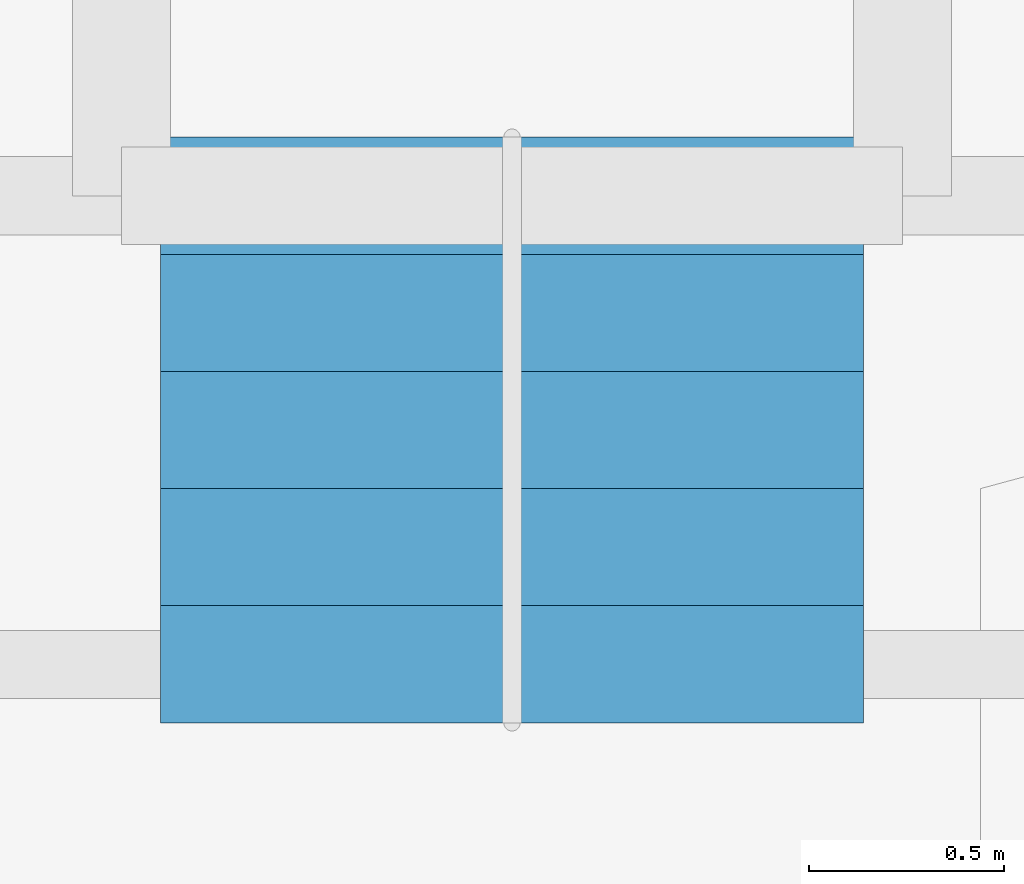
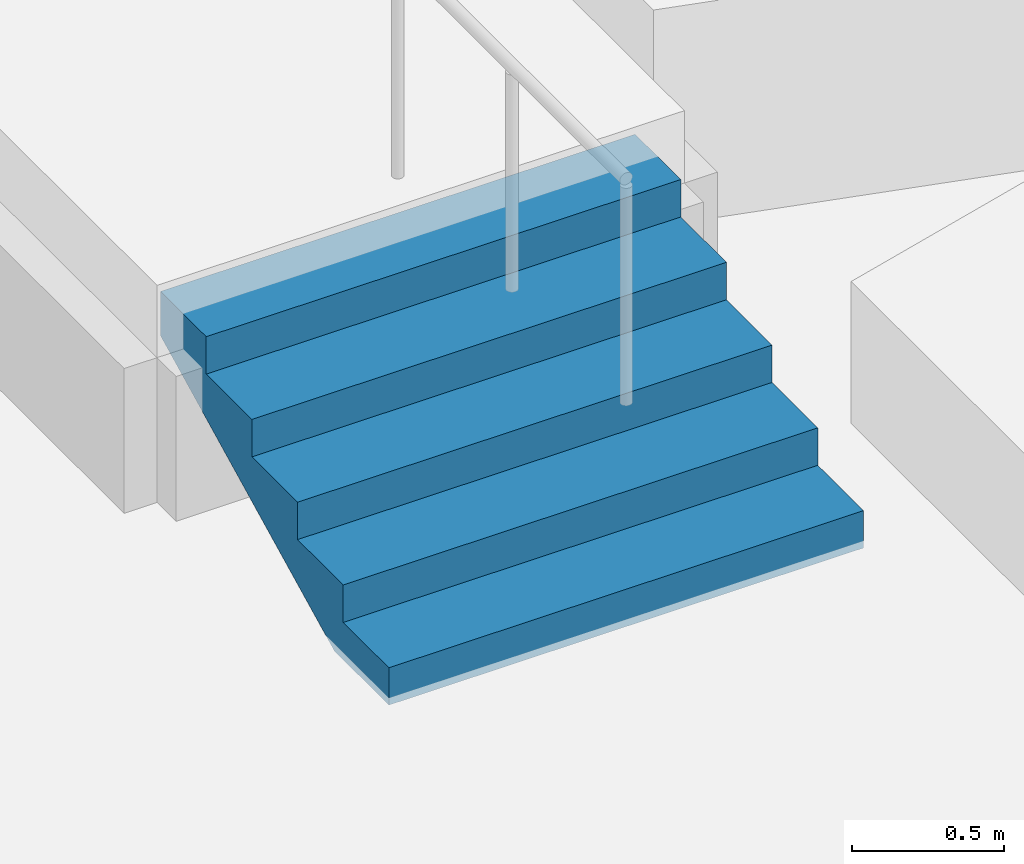
# One storey, part 98 of 112: 1 stair flight, 1 element without a shape of its own.
"""IFC4 building model written with IfcOpenShell, lengths in metres."""

from ifc_helpers import new_model, si_unit, direction, frame, origin, place, context, subcontext, project, spatial, triangles, material, layer, layer_set, type_object, element, aggregate, save


model = new_model("IFC4")

# Units and contexts
model_context = context("Model", 3, precision=1e-05, world=origin(), true_north=direction((0.0, 1.0)))
body_context = subcontext(model_context, "Body", "Model", "MODEL_VIEW")
ifc_project = project(units=[si_unit("LENGTHUNIT", "METRE"), si_unit("AREAUNIT", "SQUARE_METRE"), si_unit("VOLUMEUNIT", "CUBIC_METRE"), si_unit("PLANEANGLEUNIT", "RADIAN"), si_unit("MASSUNIT", "GRAM", prefix="KILO")], contexts=[model_context])

# Site, building, storey
site_placement = place(None, origin())
site = spatial("IfcSite", under=ifc_project, at=site_placement, CompositionType="ELEMENT")
building_placement = place(site_placement, origin())
building = spatial("IfcBuilding", under=site, at=building_placement, Name="Solvikara Media Centre", CompositionType="ELEMENT")
storey_placement = place(building_placement, frame((0.0, 0.0, 5.39990234375)))
storey = spatial("IfcBuildingStorey", under=building, at=storey_placement, Name="L01", CompositionType="ELEMENT", Elevation=5.39990234375)

# Stair, stair flight
ifc_material = material(Name="Concrete fc' 35 MPa (C35/45)", Category="concrete")
stair_type = type_object("IfcStairType", Name="SR-08", PredefinedType="STRAIGHT_RUN_STAIR", material=ifc_material)
stair_placement = place(storey_placement, origin())
stair = element("IfcStair", 1, at=stair_placement, inside=storey, type_object=stair_type, Name="ST-MX5-AISLE", PredefinedType="STRAIGHT_RUN_STAIR")
ifc_layer = layer(ifc_material, 0.159912109375)
ifc_layer_set = layer_set([ifc_layer], Name="Concrete fc' 35 MPa (C35/45)")
stair_flight_type = type_object("IfcStairFlightType", Name="SF-08", PredefinedType="STRAIGHT", material=ifc_layer_set)
stair_flight_placement = place(storey_placement, frame((3.0, 62.35009765625, 0.0), z_axis=(0.0, 0.0, 1.0), x_axis=(0.0, 1.0, 0.0)))
stair_flight = element("IfcStairFlight", 2, at=stair_flight_placement, type_object=stair_flight_type, Name="ST-MX5-AISLE-F1", NumberOfRisers=6, NumberOfTreads=5, PredefinedType="STRAIGHT", RiserHeight=0.15, TreadLength=0.3, context=body_context, shape_type="Tessellation", body=[
    triangles([(0.357666015625, -0.9000244140625, 0.0), (1.5, -0.9000244140625, 0.5712890625), (1.5, -0.9000244140625, 0.75), (1.199951171875, -0.9000244140625, 0.75), (1.199951171875, -0.9000244140625, 0.60009765625), (0.89990234375, -0.9000244140625, 0.60009765625), (0.89990234375, -0.9000244140625, 0.449951171875), (0.60009765625, -0.9000244140625, 0.449951171875), (0.60009765625, -0.9000244140625, 0.300048828125), (0.300048828125, -0.9000244140625, 0.300048828125), (0.300048828125, -0.9000244140625, 0.14990234375), (0.0, -0.9000244140625, 0.14990234375), (0.0, -0.9000244140625, 0.0), (0.357666015625, -0.675018310546875, 0.0), (1.5, -0.675018310546875, 0.5712890625), (1.5, -0.675018310546875, 0.75), (1.199951171875, -0.675018310546875, 0.75), (1.199951171875, -0.675018310546875, 0.60009765625), (0.89990234375, -0.675018310546875, 0.60009765625), (0.89990234375, -0.675018310546875, 0.449951171875), (0.60009765625, -0.675018310546875, 0.449951171875), (0.60009765625, -0.675018310546875, 0.300048828125), (0.300048828125, -0.675018310546875, 0.300048828125), (0.300048828125, -0.675018310546875, 0.14990234375), (0.0, -0.675018310546875, 0.14990234375), (0.0, -0.675018310546875, 0.0), (0.357666015625, -0.45001220703125, 0.0), (1.5, -0.45001220703125, 0.5712890625), (1.5, -0.45001220703125, 0.75), (1.199951171875, -0.45001220703125, 0.75), (1.199951171875, -0.45001220703125, 0.60009765625), (0.89990234375, -0.45001220703125, 0.60009765625), (0.89990234375, -0.45001220703125, 0.449951171875), (0.60009765625, -0.45001220703125, 0.449951171875), (0.60009765625, -0.45001220703125, 0.300048828125), (0.300048828125, -0.45001220703125, 0.300048828125), (0.300048828125, -0.45001220703125, 0.14990234375), (0.0, -0.45001220703125, 0.14990234375), (0.0, -0.45001220703125, 0.0), (0.357666015625, -0.225006103515625, 0.0), (1.5, -0.225006103515625, 0.5712890625), (1.5, -0.225006103515625, 0.75), (1.199951171875, -0.225006103515625, 0.75), (1.199951171875, -0.225006103515625, 0.60009765625), (0.89990234375, -0.225006103515625, 0.60009765625), (0.89990234375, -0.225006103515625, 0.449951171875), (0.60009765625, -0.225006103515625, 0.449951171875), (0.60009765625, -0.225006103515625, 0.300048828125), (0.300048828125, -0.225006103515625, 0.300048828125), (0.300048828125, -0.225006103515625, 0.14990234375), (0.0, -0.225006103515625, 0.14990234375), (0.0, -0.225006103515625, 0.0), (0.357666015625, 0.0, 0.0), (1.5, 0.0, 0.5712890625), (1.5, 0.0, 0.75), (1.199951171875, 0.0, 0.75), (1.199951171875, 0.0, 0.60009765625), (0.89990234375, 0.0, 0.60009765625), (0.89990234375, 0.0, 0.449951171875), (0.60009765625, 0.0, 0.449951171875), (0.60009765625, 0.0, 0.300048828125), (0.300048828125, 0.0, 0.300048828125), (0.300048828125, 0.0, 0.14990234375), (0.0, 0.0, 0.14990234375), (0.0, 0.0, 0.0), (0.357666015625, 0.225006103515625, 0.0), (1.5, 0.225006103515625, 0.5712890625), (1.5, 0.225006103515625, 0.75), (1.199951171875, 0.225006103515625, 0.75), (1.199951171875, 0.225006103515625, 0.60009765625), (0.89990234375, 0.225006103515625, 0.60009765625), (0.89990234375, 0.225006103515625, 0.449951171875), (0.60009765625, 0.225006103515625, 0.449951171875), (0.60009765625, 0.225006103515625, 0.300048828125), (0.300048828125, 0.225006103515625, 0.300048828125), (0.300048828125, 0.225006103515625, 0.14990234375), (0.0, 0.225006103515625, 0.14990234375), (0.0, 0.225006103515625, 0.0), (0.357666015625, 0.45001220703125, 0.0), (1.5, 0.45001220703125, 0.5712890625), (1.5, 0.45001220703125, 0.75), (1.199951171875, 0.45001220703125, 0.75), (1.199951171875, 0.45001220703125, 0.60009765625), (0.89990234375, 0.45001220703125, 0.60009765625), (0.89990234375, 0.45001220703125, 0.449951171875), (0.60009765625, 0.45001220703125, 0.449951171875), (0.60009765625, 0.45001220703125, 0.300048828125), (0.300048828125, 0.45001220703125, 0.300048828125), (0.300048828125, 0.45001220703125, 0.14990234375), (0.0, 0.45001220703125, 0.14990234375), (0.0, 0.45001220703125, 0.0), (0.357666015625, 0.675018310546875, 0.0), (1.5, 0.675018310546875, 0.5712890625), (1.5, 0.675018310546875, 0.75), (1.199951171875, 0.675018310546875, 0.75), (1.199951171875, 0.675018310546875, 0.60009765625), (0.89990234375, 0.675018310546875, 0.60009765625), (0.89990234375, 0.675018310546875, 0.449951171875), (0.60009765625, 0.675018310546875, 0.449951171875), (0.60009765625, 0.675018310546875, 0.300048828125), (0.300048828125, 0.675018310546875, 0.300048828125), (0.300048828125, 0.675018310546875, 0.14990234375), (0.0, 0.675018310546875, 0.14990234375), (0.0, 0.675018310546875, 0.0), (0.357666015625, 0.9000244140625, 0.0), (1.5, 0.9000244140625, 0.5712890625), (1.5, 0.9000244140625, 0.75), (1.199951171875, 0.9000244140625, 0.75), (1.199951171875, 0.9000244140625, 0.60009765625), (0.89990234375, 0.9000244140625, 0.60009765625), (0.89990234375, 0.9000244140625, 0.449951171875), (0.60009765625, 0.9000244140625, 0.449951171875), (0.60009765625, 0.9000244140625, 0.300048828125), (0.300048828125, 0.9000244140625, 0.300048828125), (0.300048828125, 0.9000244140625, 0.14990234375), (0.0, 0.9000244140625, 0.14990234375), (0.0, 0.9000244140625, 0.0), (0.9288330078125, -0.7875213623046875, 0.28564453125), (1.5, -0.7875213623046875, 0.66064453125), (1.3499755859375, -0.7875213623046875, 0.75), (1.199951171875, -0.7875213623046875, 0.675048828125), (1.0499267578125, -0.7875213623046875, 0.60009765625), (0.89990234375, -0.7875213623046875, 0.5250244140625), (0.75, -0.7875213623046875, 0.449951171875), (0.60009765625, -0.7875213623046875, 0.375), (0.4500732421875, -0.7875213623046875, 0.300048828125), (0.300048828125, -0.7875213623046875, 0.2249755859375), (0.1500244140625, -0.7875213623046875, 0.14990234375), (0.0, -0.7875213623046875, 0.074951171875), (0.1788330078125, -0.7875213623046875, 0.0), (0.9288330078125, -0.5625152587890625, 0.28564453125), (1.5, -0.5625152587890625, 0.66064453125), (1.3499755859375, -0.5625152587890625, 0.75), (1.199951171875, -0.5625152587890625, 0.675048828125), (1.0499267578125, -0.5625152587890625, 0.60009765625), (0.89990234375, -0.5625152587890625, 0.5250244140625), (0.75, -0.5625152587890625, 0.449951171875), (0.60009765625, -0.5625152587890625, 0.375), (0.4500732421875, -0.5625152587890625, 0.300048828125), (0.300048828125, -0.5625152587890625, 0.2249755859375), (0.1500244140625, -0.5625152587890625, 0.14990234375), (0.0, -0.5625152587890625, 0.074951171875), (0.1788330078125, -0.5625152587890625, 0.0), (0.9288330078125, -0.3375091552734375, 0.28564453125), (1.5, -0.3375091552734375, 0.66064453125), (1.3499755859375, -0.3375091552734375, 0.75), (1.199951171875, -0.3375091552734375, 0.675048828125), (1.0499267578125, -0.3375091552734375, 0.60009765625), (0.89990234375, -0.3375091552734375, 0.5250244140625), (0.75, -0.3375091552734375, 0.449951171875), (0.60009765625, -0.3375091552734375, 0.375), (0.4500732421875, -0.3375091552734375, 0.300048828125), (0.300048828125, -0.3375091552734375, 0.2249755859375), (0.1500244140625, -0.3375091552734375, 0.14990234375), (0.0, -0.3375091552734375, 0.074951171875), (0.1788330078125, -0.3375091552734375, 0.0), (0.9288330078125, -0.1125030517578125, 0.28564453125), (1.5, -0.1125030517578125, 0.66064453125), (1.3499755859375, -0.1125030517578125, 0.75), (1.199951171875, -0.1125030517578125, 0.675048828125), (1.0499267578125, -0.1125030517578125, 0.60009765625), (0.89990234375, -0.1125030517578125, 0.5250244140625), (0.75, -0.1125030517578125, 0.449951171875), (0.60009765625, -0.1125030517578125, 0.375), (0.4500732421875, -0.1125030517578125, 0.300048828125), (0.300048828125, -0.1125030517578125, 0.2249755859375), (0.1500244140625, -0.1125030517578125, 0.14990234375), (0.0, -0.1125030517578125, 0.074951171875), (0.1788330078125, -0.1125030517578125, 0.0), (0.9288330078125, 0.1125030517578125, 0.28564453125), (1.5, 0.1125030517578125, 0.66064453125), (1.3499755859375, 0.1125030517578125, 0.75), (1.199951171875, 0.1125030517578125, 0.675048828125), (1.0499267578125, 0.1125030517578125, 0.60009765625), (0.89990234375, 0.1125030517578125, 0.5250244140625), (0.75, 0.1125030517578125, 0.449951171875), (0.60009765625, 0.1125030517578125, 0.375), (0.4500732421875, 0.1125030517578125, 0.300048828125), (0.300048828125, 0.1125030517578125, 0.2249755859375), (0.1500244140625, 0.1125030517578125, 0.14990234375), (0.0, 0.1125030517578125, 0.074951171875), (0.1788330078125, 0.1125030517578125, 0.0), (0.9288330078125, 0.3375091552734375, 0.28564453125), (1.5, 0.3375091552734375, 0.66064453125), (1.3499755859375, 0.3375091552734375, 0.75), (1.199951171875, 0.3375091552734375, 0.675048828125), (1.0499267578125, 0.3375091552734375, 0.60009765625), (0.89990234375, 0.3375091552734375, 0.5250244140625), (0.75, 0.3375091552734375, 0.449951171875), (0.60009765625, 0.3375091552734375, 0.375), (0.4500732421875, 0.3375091552734375, 0.300048828125), (0.300048828125, 0.3375091552734375, 0.2249755859375), (0.1500244140625, 0.3375091552734375, 0.14990234375), (0.0, 0.3375091552734375, 0.074951171875), (0.1788330078125, 0.3375091552734375, 0.0), (0.9288330078125, 0.5625152587890625, 0.28564453125), (1.5, 0.5625152587890625, 0.66064453125), (1.3499755859375, 0.5625152587890625, 0.75), (1.199951171875, 0.5625152587890625, 0.675048828125), (1.0499267578125, 0.5625152587890625, 0.60009765625), (0.89990234375, 0.5625152587890625, 0.5250244140625), (0.75, 0.5625152587890625, 0.449951171875), (0.60009765625, 0.5625152587890625, 0.375), (0.4500732421875, 0.5625152587890625, 0.300048828125), (0.300048828125, 0.5625152587890625, 0.2249755859375), (0.1500244140625, 0.5625152587890625, 0.14990234375), (0.0, 0.5625152587890625, 0.074951171875), (0.1788330078125, 0.5625152587890625, 0.0), (0.9288330078125, 0.7875213623046875, 0.28564453125), (1.5, 0.7875213623046875, 0.66064453125), (1.3499755859375, 0.7875213623046875, 0.75), (1.199951171875, 0.7875213623046875, 0.675048828125), (1.0499267578125, 0.7875213623046875, 0.60009765625), (0.89990234375, 0.7875213623046875, 0.5250244140625), (0.75, 0.7875213623046875, 0.449951171875), (0.60009765625, 0.7875213623046875, 0.375), (0.4500732421875, 0.7875213623046875, 0.300048828125), (0.300048828125, 0.7875213623046875, 0.2249755859375), (0.1500244140625, 0.7875213623046875, 0.14990234375), (0.0, 0.7875213623046875, 0.074951171875), (0.1788330078125, 0.7875213623046875, 0.0)], [[1, 14, 118], [14, 15, 118], [15, 2, 118], [2, 1, 118], [2, 15, 119], [15, 16, 119], [16, 3, 119], [3, 2, 119], [3, 16, 120], [16, 17, 120], [17, 4, 120], [4, 3, 120], [4, 17, 121], [17, 18, 121], [18, 5, 121], [5, 4, 121], [5, 18, 122], [18, 19, 122], [19, 6, 122], [6, 5, 122], [6, 19, 123], [19, 20, 123], [20, 7, 123], [7, 6, 123], [7, 20, 124], [20, 21, 124], [21, 8, 124], [8, 7, 124], [8, 21, 125], [21, 22, 125], [22, 9, 125], [9, 8, 125], [9, 22, 126], [22, 23, 126], [23, 10, 126], [10, 9, 126], [10, 23, 127], [23, 24, 127], [24, 11, 127], [11, 10, 127], [11, 24, 128], [24, 25, 128], [25, 12, 128], [12, 11, 128], [12, 25, 129], [25, 26, 129], [26, 13, 129], [13, 12, 129], [13, 26, 130], [26, 14, 130], [14, 1, 130], [1, 13, 130], [14, 27, 131], [27, 28, 131], [28, 15, 131], [15, 14, 131], [15, 28, 132], [28, 29, 132], [29, 16, 132], [16, 15, 132], [16, 29, 133], [29, 30, 133], [30, 17, 133], [17, 16, 133], [17, 30, 134], [30, 31, 134], [31, 18, 134], [18, 17, 134], [18, 31, 135], [31, 32, 135], [32, 19, 135], [19, 18, 135], [19, 32, 136], [32, 33, 136], [33, 20, 136], [20, 19, 136], [20, 33, 137], [33, 34, 137], [34, 21, 137], [21, 20, 137], [21, 34, 138], [34, 35, 138], [35, 22, 138], [22, 21, 138], [22, 35, 139], [35, 36, 139], [36, 23, 139], [23, 22, 139], [23, 36, 140], [36, 37, 140], [37, 24, 140], [24, 23, 140], [24, 37, 141], [37, 38, 141], [38, 25, 141], [25, 24, 141], [25, 38, 142], [38, 39, 142], [39, 26, 142], [26, 25, 142], [26, 39, 143], [39, 27, 143], [27, 14, 143], [14, 26, 143], [27, 40, 144], [40, 41, 144], [41, 28, 144], [28, 27, 144], [28, 41, 145], [41, 42, 145], [42, 29, 145], [29, 28, 145], [29, 42, 146], [42, 43, 146], [43, 30, 146], [30, 29, 146], [30, 43, 147], [43, 44, 147], [44, 31, 147], [31, 30, 147], [31, 44, 148], [44, 45, 148], [45, 32, 148], [32, 31, 148], [32, 45, 149], [45, 46, 149], [46, 33, 149], [33, 32, 149], [33, 46, 150], [46, 47, 150], [47, 34, 150], [34, 33, 150], [34, 47, 151], [47, 48, 151], [48, 35, 151], [35, 34, 151], [35, 48, 152], [48, 49, 152], [49, 36, 152], [36, 35, 152], [36, 49, 153], [49, 50, 153], [50, 37, 153], [37, 36, 153], [37, 50, 154], [50, 51, 154], [51, 38, 154], [38, 37, 154], [38, 51, 155], [51, 52, 155], [52, 39, 155], [39, 38, 155], [39, 52, 156], [52, 40, 156], [40, 27, 156], [27, 39, 156], [40, 53, 157], [53, 54, 157], [54, 41, 157], [41, 40, 157], [41, 54, 158], [54, 55, 158], [55, 42, 158], [42, 41, 158], [42, 55, 159], [55, 56, 159], [56, 43, 159], [43, 42, 159], [43, 56, 160], [56, 57, 160], [57, 44, 160], [44, 43, 160], [44, 57, 161], [57, 58, 161], [58, 45, 161], [45, 44, 161], [45, 58, 162], [58, 59, 162], [59, 46, 162], [46, 45, 162], [46, 59, 163], [59, 60, 163], [60, 47, 163], [47, 46, 163], [47, 60, 164], [60, 61, 164], [61, 48, 164], [48, 47, 164], [48, 61, 165], [61, 62, 165], [62, 49, 165], [49, 48, 165], [49, 62, 166], [62, 63, 166], [63, 50, 166], [50, 49, 166], [50, 63, 167], [63, 64, 167], [64, 51, 167], [51, 50, 167], [51, 64, 168], [64, 65, 168], [65, 52, 168], [52, 51, 168], [52, 65, 169], [65, 53, 169], [53, 40, 169], [40, 52, 169], [53, 66, 170], [66, 67, 170], [67, 54, 170], [54, 53, 170], [54, 67, 171], [67, 68, 171], [68, 55, 171], [55, 54, 171], [55, 68, 172], [68, 69, 172], [69, 56, 172], [56, 55, 172], [56, 69, 173], [69, 70, 173], [70, 57, 173], [57, 56, 173], [57, 70, 174], [70, 71, 174], [71, 58, 174], [58, 57, 174], [58, 71, 175], [71, 72, 175], [72, 59, 175], [59, 58, 175], [59, 72, 176], [72, 73, 176], [73, 60, 176], [60, 59, 176], [60, 73, 177], [73, 74, 177], [74, 61, 177], [61, 60, 177], [61, 74, 178], [74, 75, 178], [75, 62, 178], [62, 61, 178], [62, 75, 179], [75, 76, 179], [76, 63, 179], [63, 62, 179], [63, 76, 180], [76, 77, 180], [77, 64, 180], [64, 63, 180], [64, 77, 181], [77, 78, 181], [78, 65, 181], [65, 64, 181], [65, 78, 182], [78, 66, 182], [66, 53, 182], [53, 65, 182], [66, 79, 183], [79, 80, 183], [80, 67, 183], [67, 66, 183], [67, 80, 184], [80, 81, 184], [81, 68, 184], [68, 67, 184], [68, 81, 185], [81, 82, 185], [82, 69, 185], [69, 68, 185], [69, 82, 186], [82, 83, 186], [83, 70, 186], [70, 69, 186], [70, 83, 187], [83, 84, 187], [84, 71, 187], [71, 70, 187], [71, 84, 188], [84, 85, 188], [85, 72, 188], [72, 71, 188], [72, 85, 189], [85, 86, 189], [86, 73, 189], [73, 72, 189], [73, 86, 190], [86, 87, 190], [87, 74, 190], [74, 73, 190], [74, 87, 191], [87, 88, 191], [88, 75, 191], [75, 74, 191], [75, 88, 192], [88, 89, 192], [89, 76, 192], [76, 75, 192], [76, 89, 193], [89, 90, 193], [90, 77, 193], [77, 76, 193], [77, 90, 194], [90, 91, 194], [91, 78, 194], [78, 77, 194], [78, 91, 195], [91, 79, 195], [79, 66, 195], [66, 78, 195], [79, 92, 196], [92, 93, 196], [93, 80, 196], [80, 79, 196], [80, 93, 197], [93, 94, 197], [94, 81, 197], [81, 80, 197], [81, 94, 198], [94, 95, 198], [95, 82, 198], [82, 81, 198], [82, 95, 199], [95, 96, 199], [96, 83, 199], [83, 82, 199], [83, 96, 200], [96, 97, 200], [97, 84, 200], [84, 83, 200], [84, 97, 201], [97, 98, 201], [98, 85, 201], [85, 84, 201], [85, 98, 202], [98, 99, 202], [99, 86, 202], [86, 85, 202], [86, 99, 203], [99, 100, 203], [100, 87, 203], [87, 86, 203], [87, 100, 204], [100, 101, 204], [101, 88, 204], [88, 87, 204], [88, 101, 205], [101, 102, 205], [102, 89, 205], [89, 88, 205], [89, 102, 206], [102, 103, 206], [103, 90, 206], [90, 89, 206], [90, 103, 207], [103, 104, 207], [104, 91, 207], [91, 90, 207], [91, 104, 208], [104, 92, 208], [92, 79, 208], [79, 91, 208], [92, 105, 209], [105, 106, 209], [106, 93, 209], [93, 92, 209], [93, 106, 210], [106, 107, 210], [107, 94, 210], [94, 93, 210], [94, 107, 211], [107, 108, 211], [108, 95, 211], [95, 94, 211], [95, 108, 212], [108, 109, 212], [109, 96, 212], [96, 95, 212], [96, 109, 213], [109, 110, 213], [110, 97, 213], [97, 96, 213], [97, 110, 214], [110, 111, 214], [111, 98, 214], [98, 97, 214], [98, 111, 215], [111, 112, 215], [112, 99, 215], [99, 98, 215], [99, 112, 216], [112, 113, 216], [113, 100, 216], [100, 99, 216], [100, 113, 217], [113, 114, 217], [114, 101, 217], [101, 100, 217], [101, 114, 218], [114, 115, 218], [115, 102, 218], [102, 101, 218], [102, 115, 219], [115, 116, 219], [116, 103, 219], [103, 102, 219], [103, 116, 220], [116, 117, 220], [117, 104, 220], [104, 103, 220], [104, 117, 221], [117, 105, 221], [105, 92, 221], [92, 104, 221], [13, 1, 2], [117, 106, 105], [2, 3, 4], [106, 108, 107], [2, 4, 5], [106, 109, 108], [2, 5, 6], [106, 110, 109], [2, 6, 7], [106, 111, 110], [7, 8, 9], [111, 113, 112], [2, 7, 9], [106, 113, 111], [9, 10, 11], [113, 115, 114], [2, 9, 11], [106, 115, 113], [13, 2, 11], [117, 115, 106], [11, 12, 13], [115, 117, 116]], closed=True),
])
aggregate(stair, [stair_flight])

save(model, "model.ifc")
